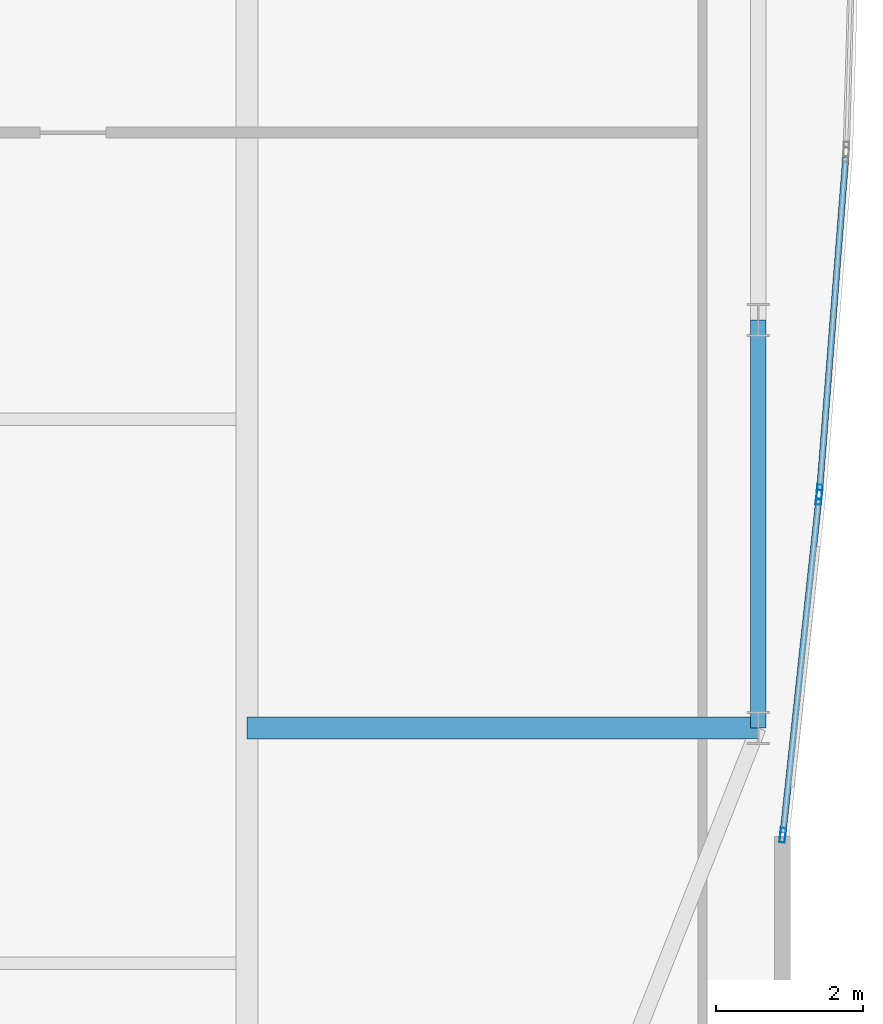
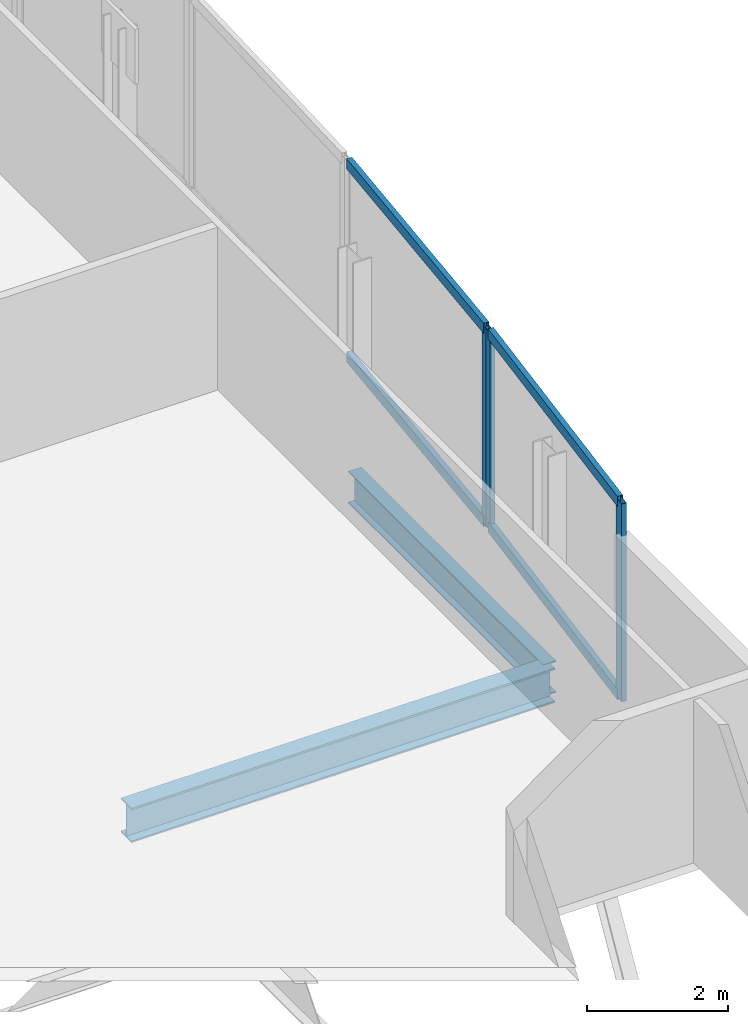
# One storey, part 15 of 27: 7 members, 2 beams, 2 elements without a shape of their own.
"""IFC4 building model written with IfcOpenShell, lengths in metres."""

from ifc_helpers import new_model, si_unit, direction, frame, origin, origin_2d, place, context, subcontext, project, spatial, hollow_rectangle, i_section, extrude, material, material_profile, profile_set, type_object, element, aggregate, save


model = new_model("IFC4")

# Units and contexts
model_context = context("Model", 3, precision=1e-05, world=origin(), true_north=direction((0.0, 1.0)))
body_context = subcontext(model_context, "Body", "Model", "MODEL_VIEW")
ifc_project = project(units=[si_unit("LENGTHUNIT", "METRE"), si_unit("AREAUNIT", "SQUARE_METRE"), si_unit("VOLUMEUNIT", "CUBIC_METRE"), si_unit("PLANEANGLEUNIT", "RADIAN"), si_unit("MASSUNIT", "GRAM", prefix="KILO")], contexts=[model_context])

# Site, building, storey
site_placement = place(None, origin())
site = spatial("IfcSite", under=ifc_project, at=site_placement, CompositionType="ELEMENT")
building_placement = place(site_placement, origin())
building = spatial("IfcBuilding", under=site, at=building_placement, Name="Khoronbel Lancet Exchange", CompositionType="ELEMENT")
storey_placement = place(building_placement, frame((0.0, 0.0, 343.39990234375)))
storey = spatial("IfcBuildingStorey", under=building, at=storey_placement, Name="L89", CompositionType="ELEMENT", Elevation=343.39990234375)

# Beams
ifc_material_1 = material(Name="Steel S355", Category="steel")
ifc_material_profile_1 = material_profile(ifc_material_1, i_section(OverallWidth=0.300048828125, OverallDepth=0.60009765625, WebThickness=0.015380859375, FlangeThickness=0.030029296875, at=origin_2d()), Name="HEB 600")
ifc_profile_set_1 = profile_set([ifc_material_profile_1], Name="Steel S355")
beam_type_1 = type_object("IfcBeamType", Name="BM-BG5", PredefinedType="BEAM", material=ifc_profile_set_1)
beam_1_placement = place(storey_placement, frame((54.675048828125, 19.199951171875, -0.4599609375), z_axis=(1.0, 0.0, 0.0), x_axis=(0.0, 1.0, 0.0)))
element("IfcBeam", 1, at=beam_1_placement, inside=storey, type_object=beam_type_1, Name="Level L89 east lens tie girder LG1E", PredefinedType="BEAM", context=body_context, shape_type="SweptSolid", body=[
    extrude(i_section(OverallWidth=0.300048828125, OverallDepth=0.60009765625, WebThickness=0.015380859375, FlangeThickness=0.030029296875, at=origin_2d()), origin(), (0.0, 0.0, 1.0), 6.954833984375),
])
ifc_material_profile_2 = material_profile(ifc_material_1, i_section(OverallWidth=0.2099609375, OverallDepth=0.550048828125, WebThickness=0.010986328125, FlangeThickness=0.01708984375, at=origin_2d()), Name="IPE 550")
ifc_profile_set_2 = profile_set([ifc_material_profile_2], Name="Steel S355")
beam_type_2 = type_object("IfcBeamType", Name="BM-BSP3", PredefinedType="SPANDREL", material=ifc_profile_set_2)
beam_2_placement = place(storey_placement, frame((61.6298828125, 19.199951171875, -0.434814453125), z_axis=(0.0, 1.0, 0.0), x_axis=(-1.0, 0.0, 0.0)))
element("IfcBeam", 2, at=beam_2_placement, inside=storey, type_object=beam_type_2, Name="Level L89 perimeter spandrel beam SP09", PredefinedType="SPANDREL", context=body_context, shape_type="SweptSolid", body=[
    extrude(i_section(OverallWidth=0.2099609375, OverallDepth=0.550048828125, WebThickness=0.010986328125, FlangeThickness=0.01708984375, at=origin_2d()), origin(), (0.0, 0.0, 1.0), 5.550048828125),
])

# Curtain wall, member
ifc_material_2 = material(Name="Low-E Solar Control Insulating Glass", Category="glass")
curtain_wall_type = type_object("IfcCurtainWallType", Name="CW-4", PredefinedType="NOTDEFINED", material=ifc_material_2)
curtain_wall_1_placement = place(storey_placement, origin())
curtain_wall_1 = element("IfcCurtainWall", 3, at=curtain_wall_1_placement, inside=storey, type_object=curtain_wall_type, Name="Unitised curtain wall CW-L89-E21", PredefinedType="NOTDEFINED")
ifc_material_3 = material(Name="Bronze-Anodised Aluminium 6063-T6", Category="aluminium")
ifc_material_profile_3 = material_profile(ifc_material_3, hollow_rectangle(XDim=0.074951171875, YDim=0.199951171875, WallThickness=0.0048828125, at=origin_2d()), Name="ALU MULLION 75x200")
ifc_profile_set_3 = profile_set([ifc_material_profile_3], Name="Bronze-Anodised Aluminium 6063-T6")
member_type_1 = type_object("IfcMemberType", Name="MEM-CWM2", PredefinedType="MULLION", material=ifc_profile_set_3)
member_1_placement = place(storey_placement, frame((62.46337890625, 22.412353515625, 0.0), z_axis=(0.0, 0.0, 1.0), x_axis=(0.996938933306, -0.078184162452, 0.0)))
member_1 = element("IfcMember", 4, at=member_1_placement, type_object=member_type_1, Name="CW4 mullion 2", PredefinedType="MULLION", context=body_context, shape_type="SweptSolid", body=[
    extrude(hollow_rectangle(XDim=0.074951171875, YDim=0.199951171875, WallThickness=0.0048828125, at=origin_2d()), origin(), (0.0, 0.0, 1.0), 3.440185546875),
])

# Curtain wall, members
curtain_wall_2_placement = place(storey_placement, origin())
curtain_wall_2 = element("IfcCurtainWall", 5, at=curtain_wall_2_placement, inside=storey, type_object=curtain_wall_type, Name="Unitised curtain wall CW-L89-E22", PredefinedType="NOTDEFINED")
member_2_placement = place(storey_placement, frame((62.456298828125, 22.337646484375, 0.0), z_axis=(0.0, 0.0, 1.0), x_axis=(0.994308670645, -0.106537634098, 0.0)))
member_2 = element("IfcMember", 6, at=member_2_placement, type_object=member_type_1, Name="CW4 mullion 1", PredefinedType="MULLION", context=body_context, shape_type="SweptSolid", body=[
    extrude(hollow_rectangle(XDim=0.074951171875, YDim=0.199951171875, WallThickness=0.0048828125, at=origin_2d()), origin(), (0.0, 0.0, 1.0), 3.440185546875),
])
member_3_placement = place(storey_placement, frame((61.964111328125, 17.7421875, 0.0), z_axis=(0.0, 0.0, 1.0), x_axis=(0.994308670645, -0.106537634098, 0.0)))
member_3 = element("IfcMember", 7, at=member_3_placement, type_object=member_type_1, Name="CW4 mullion 2", PredefinedType="MULLION", context=body_context, shape_type="SweptSolid", body=[
    extrude(hollow_rectangle(XDim=0.074951171875, YDim=0.199951171875, WallThickness=0.0048828125, at=origin_2d()), origin(), (0.0, 0.0, 1.0), 3.440185546875),
])

# Member
ifc_material_profile_4 = material_profile(ifc_material_3, hollow_rectangle(XDim=0.0849609375, YDim=0.179931640625, WallThickness=0.0048828125, at=origin_2d()), Name="ALU TRANSOM 85x180")
ifc_profile_set_4 = profile_set([ifc_material_profile_4], Name="Bronze-Anodised Aluminium 6063-T6")
member_type_2 = type_object("IfcMemberType", Name="MEM-CWT1", PredefinedType="USERDEFINED", material=ifc_profile_set_4)
member_4_placement = place(storey_placement, frame((62.8203125, 26.96337890625, 0.04248046875), z_axis=(-0.078189143598, -0.996938542651, 0.0), x_axis=(0.996938542651, -0.078189143598, 0.0)))
member_4 = element("IfcMember", 8, at=member_4_placement, type_object=member_type_2, Name="CW4 transom 1.1", ObjectType="TRANSOM", PredefinedType="USERDEFINED", context=body_context, shape_type="SweptSolid", body=[
    extrude(hollow_rectangle(XDim=0.0849609375, YDim=0.179931640625, WallThickness=0.0048828125, at=origin_2d()), origin(), (0.0, 0.0, 1.0), 4.527587890625),
])

member_5_placement = place(storey_placement, frame((62.8203125, 26.96337890625, 3.397705078125), z_axis=(-0.078189143598, -0.996938542651, 0.0), x_axis=(0.996938542651, -0.078189143598, 0.0)))
member_5 = element("IfcMember", 9, at=member_5_placement, type_object=member_type_2, Name="CW4 transom 1.2", ObjectType="TRANSOM", PredefinedType="USERDEFINED", context=body_context, shape_type="SweptSolid", body=[
    extrude(hollow_rectangle(XDim=0.0849609375, YDim=0.179931640625, WallThickness=0.0048828125, at=origin_2d()), origin(), (0.0, 0.0, 1.0), 4.527587890625),
])

aggregate(curtain_wall_1, [member_1, member_4, member_5])

member_6_placement = place(storey_placement, frame((62.452392578125, 22.300537109375, 0.04248046875), z_axis=(-0.106523644702, -0.994310169474, 0.0), x_axis=(0.994310169474, -0.106523644702, 0.0)))
member_6 = element("IfcMember", 10, at=member_6_placement, type_object=member_type_2, Name="CW4 transom 1.1", ObjectType="TRANSOM", PredefinedType="USERDEFINED", context=body_context, shape_type="SweptSolid", body=[
    extrude(hollow_rectangle(XDim=0.0849609375, YDim=0.179931640625, WallThickness=0.0048828125, at=origin_2d()), origin(), (0.0, 0.0, 1.0), 4.547119140625),
])

member_7_placement = place(storey_placement, frame((62.452392578125, 22.300537109375, 3.397705078125), z_axis=(-0.106523644702, -0.994310169474, 0.0), x_axis=(0.994310169474, -0.106523644702, 0.0)))
member_7 = element("IfcMember", 11, at=member_7_placement, type_object=member_type_2, Name="CW4 transom 1.2", ObjectType="TRANSOM", PredefinedType="USERDEFINED", context=body_context, shape_type="SweptSolid", body=[
    extrude(hollow_rectangle(XDim=0.0849609375, YDim=0.179931640625, WallThickness=0.0048828125, at=origin_2d()), origin(), (0.0, 0.0, 1.0), 4.547119140625),
])

aggregate(curtain_wall_2, [member_2, member_3, member_6, member_7])

save(model, "model.ifc")
